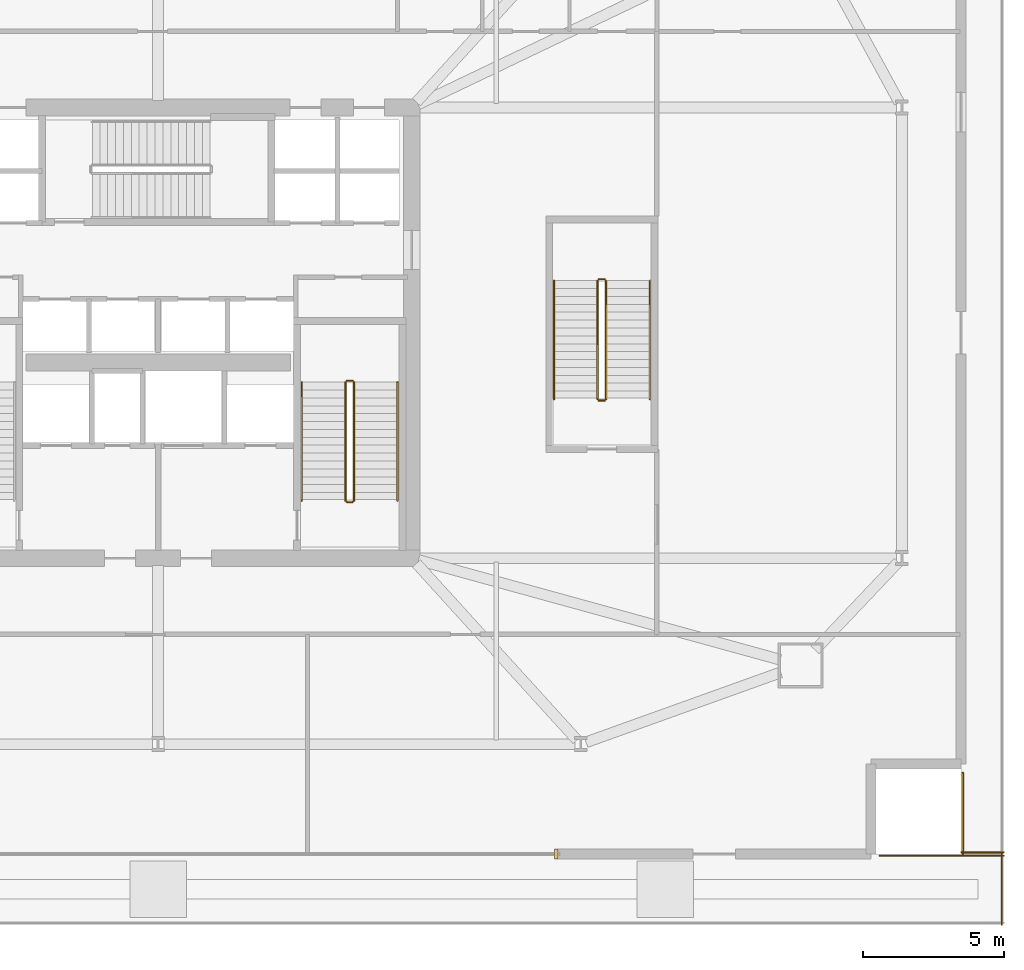
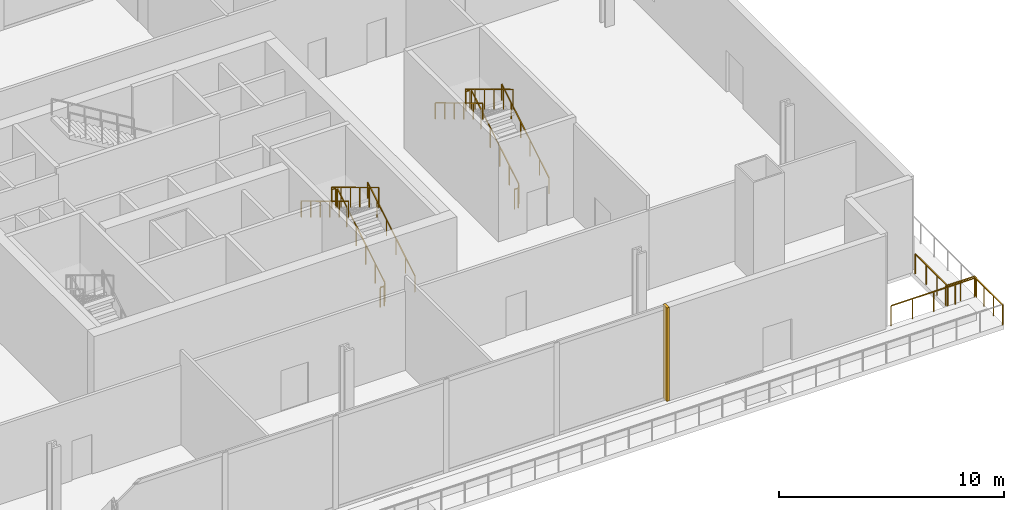
# One storey, part 19 of 20: 16 railings, 1 covering.
"""IFC4 building model written with IfcOpenShell, lengths in metres."""

from ifc_helpers import new_model, si_unit, direction, frame, origin, origin_2d, place, context, subcontext, project, spatial, rectangle, extrude, source, transform, mapped, material, layer, layer_set, type_object, element, save


model = new_model("IFC4")

# Units and contexts
model_context = context("Model", 3, precision=1e-05, world=origin(), true_north=direction((0.0, 1.0)))
body_context = subcontext(model_context, "Body", "Model", "MODEL_VIEW")
ifc_project = project(units=[si_unit("LENGTHUNIT", "METRE"), si_unit("AREAUNIT", "SQUARE_METRE"), si_unit("VOLUMEUNIT", "CUBIC_METRE"), si_unit("PLANEANGLEUNIT", "RADIAN"), si_unit("MASSUNIT", "GRAM", prefix="KILO")], contexts=[model_context])

# Site, building, storey
site_placement = place(None, origin())
site = spatial("IfcSite", under=ifc_project, at=site_placement, CompositionType="ELEMENT")
building_placement = place(site_placement, origin())
building = spatial("IfcBuilding", under=site, at=building_placement, Name="Haldenkirk Collegiate Tower", CompositionType="ELEMENT")
storey_placement = place(building_placement, frame((0.0, 0.0, 11.39990234375)))
storey = spatial("IfcBuildingStorey", under=building, at=storey_placement, Name="L02", CompositionType="ELEMENT", Elevation=11.39990234375)

# Railings
ifc_material_1 = material(Name="Painted architectural tubular steel", Category="steel")
railing_type_1 = type_object("IfcRailingType", Name="RLG-STAIR-GUARD-1100", PredefinedType="BALUSTRADE", material=ifc_material_1)
railing_1_placement = place(storey_placement, frame((42.949951171875, 20.050048828125, 0.1689453125)))
element("IfcRailing", 1, at=railing_1_placement, inside=storey, type_object=railing_type_1, Name="L02 ST-2 stair guard 1", PredefinedType="BALUSTRADE", context=body_context, shape_type="SweptSolid", body=[
    extrude(rectangle(XDim=0.048095703125, YDim=0.048095703125, at=origin_2d()), frame((0.0, 0.0, 1.076171875), z_axis=(0.0, 0.856476492594, 0.516186030065), x_axis=(-1.0, 0.0, 0.0)), (0.0, 0.0, 1.0), 4.90380859375),
    extrude(rectangle(XDim=0.0419921875, YDim=0.0419921875, at=origin_2d()), origin(), (0.0, 0.0, 1.0), 1.052001953125),
    extrude(rectangle(XDim=0.0419921875, YDim=0.0419921875, at=origin_2d()), frame((0.0, 0.840087890625, 0.50634765625)), (0.0, 0.0, 1.0), 1.052001953125),
    extrude(rectangle(XDim=0.0419921875, YDim=0.0419921875, at=origin_2d()), frame((0.0, 1.679931640625, 1.012451171875)), (0.0, 0.0, 1.0), 1.052001953125),
    extrude(rectangle(XDim=0.0419921875, YDim=0.0419921875, at=origin_2d()), frame((0.0, 2.52001953125, 1.518798828125)), (0.0, 0.0, 1.0), 1.052001953125),
    extrude(rectangle(XDim=0.0419921875, YDim=0.0419921875, at=origin_2d()), frame((0.0, 3.35986328125, 2.02490234375)), (0.0, 0.0, 1.0), 1.052001953125),
    extrude(rectangle(XDim=0.0419921875, YDim=0.0419921875, at=origin_2d()), frame((0.0, 4.199951171875, 2.53125)), (0.0, 0.0, 1.0), 1.052001953125),
])
railing_2_placement = place(storey_placement, frame((42.89990234375, 24.300048828125, 2.7001953125)))
element("IfcRailing", 2, at=railing_2_placement, inside=storey, type_object=railing_type_1, Name="L02 ST-2 stair guard 2", PredefinedType="BALUSTRADE", context=body_context, shape_type="SweptSolid", body=[
    extrude(rectangle(XDim=0.048095703125, YDim=0.048095703125, at=origin_2d()), frame((0.0, 0.0, 1.076171875), z_axis=(-1.0, 0.0, 0.0), x_axis=(0.0, -1.0, 0.0)), (0.0, 0.0, 1.0), 0.199951171875),
    extrude(rectangle(XDim=0.0419921875, YDim=0.0419921875, at=origin_2d()), origin(), (0.0, 0.0, 1.0), 1.052001953125),
    extrude(rectangle(XDim=0.0419921875, YDim=0.0419921875, at=origin_2d()), frame((-0.199951171875, 0.0, 0.0)), (0.0, 0.0, 1.0), 1.052001953125),
])
railing_3_placement = place(storey_placement, frame((42.64990234375, 24.25, 2.868896484375)))
element("IfcRailing", 3, at=railing_3_placement, inside=storey, type_object=railing_type_1, Name="L02 ST-2 stair guard 3", PredefinedType="BALUSTRADE", context=body_context, shape_type="SweptSolid", body=[
    extrude(rectangle(XDim=0.048095703125, YDim=0.048095703125, at=origin_2d()), frame((0.0, 0.0, 1.076171875), z_axis=(0.0, -0.856476492594, 0.516186030065), x_axis=(1.0, 0.0, 0.0)), (0.0, 0.0, 1.0), 4.90380859375),
    extrude(rectangle(XDim=0.0419921875, YDim=0.0419921875, at=origin_2d()), origin(), (0.0, 0.0, 1.0), 1.052001953125),
    extrude(rectangle(XDim=0.0419921875, YDim=0.0419921875, at=origin_2d()), frame((0.0, -0.840087890625, 0.50634765625)), (0.0, 0.0, 1.0), 1.052001953125),
    extrude(rectangle(XDim=0.0419921875, YDim=0.0419921875, at=origin_2d()), frame((0.0, -1.679931640625, 1.012451171875)), (0.0, 0.0, 1.0), 1.052001953125),
    extrude(rectangle(XDim=0.0419921875, YDim=0.0419921875, at=origin_2d()), frame((0.0, -2.52001953125, 1.518798828125)), (0.0, 0.0, 1.0), 1.052001953125),
    extrude(rectangle(XDim=0.0419921875, YDim=0.0419921875, at=origin_2d()), frame((0.0, -3.35986328125, 2.02490234375)), (0.0, 0.0, 1.0), 1.052001953125),
    extrude(rectangle(XDim=0.0419921875, YDim=0.0419921875, at=origin_2d()), frame((0.0, -4.199951171875, 2.53125)), (0.0, 0.0, 1.0), 1.052001953125),
])
railing_4_placement = place(storey_placement, frame((42.89990234375, 20.0, 0.0)))
element("IfcRailing", 4, at=railing_4_placement, inside=storey, type_object=railing_type_1, Name="L02 ST-2 stair guard 4", PredefinedType="BALUSTRADE", context=body_context, shape_type="SweptSolid", body=[
    extrude(rectangle(XDim=0.048095703125, YDim=0.048095703125, at=origin_2d()), frame((0.0, 0.0, 1.076171875), z_axis=(-1.0, 0.0, 0.0), x_axis=(0.0, -1.0, 0.0)), (0.0, 0.0, 1.0), 0.199951171875),
    extrude(rectangle(XDim=0.0419921875, YDim=0.0419921875, at=origin_2d()), origin(), (0.0, 0.0, 1.0), 1.052001953125),
    extrude(rectangle(XDim=0.0419921875, YDim=0.0419921875, at=origin_2d()), frame((-0.199951171875, 0.0, 0.0)), (0.0, 0.0, 1.0), 1.052001953125),
])
railing_5_placement = place(storey_placement, frame((51.89990234375, 23.64990234375, 0.1689453125)))
element("IfcRailing", 5, at=railing_5_placement, inside=storey, type_object=railing_type_1, Name="L02 ST-5 stair guard 1", PredefinedType="BALUSTRADE", context=body_context, shape_type="SweptSolid", body=[
    extrude(rectangle(XDim=0.048095703125, YDim=0.048095703125, at=origin_2d()), frame((0.0, 0.0, 1.076171875), z_axis=(0.0, 0.856489757249, 0.516164020179), x_axis=(-1.0, 0.0, 0.0)), (0.0, 0.0, 1.0), 4.904052734375),
    extrude(rectangle(XDim=0.0419921875, YDim=0.0419921875, at=origin_2d()), origin(), (0.0, 0.0, 1.0), 1.052001953125),
    extrude(rectangle(XDim=0.0419921875, YDim=0.0419921875, at=origin_2d()), frame((0.0, 0.840087890625, 0.50634765625)), (0.0, 0.0, 1.0), 1.052001953125),
    extrude(rectangle(XDim=0.0419921875, YDim=0.0419921875, at=origin_2d()), frame((0.0, 1.68017578125, 1.012451171875)), (0.0, 0.0, 1.0), 1.052001953125),
    extrude(rectangle(XDim=0.0419921875, YDim=0.0419921875, at=origin_2d()), frame((0.0, 2.52001953125, 1.518798828125)), (0.0, 0.0, 1.0), 1.052001953125),
    extrude(rectangle(XDim=0.0419921875, YDim=0.0419921875, at=origin_2d()), frame((0.0, 3.360107421875, 2.02490234375)), (0.0, 0.0, 1.0), 1.052001953125),
    extrude(rectangle(XDim=0.0419921875, YDim=0.0419921875, at=origin_2d()), frame((0.0, 4.2001953125, 2.53125)), (0.0, 0.0, 1.0), 1.052001953125),
])
railing_6_placement = place(storey_placement, frame((51.85009765625, 27.89990234375, 2.7001953125)))
element("IfcRailing", 6, at=railing_6_placement, inside=storey, type_object=railing_type_1, Name="L02 ST-5 stair guard 2", PredefinedType="BALUSTRADE", context=body_context, shape_type="SweptSolid", body=[
    extrude(rectangle(XDim=0.048095703125, YDim=0.048095703125, at=origin_2d()), frame((0.0, 0.0, 1.076171875), z_axis=(-1.0, 0.0, 0.0), x_axis=(0.0, -1.0, 0.0)), (0.0, 0.0, 1.0), 0.2001953125),
    extrude(rectangle(XDim=0.0419921875, YDim=0.0419921875, at=origin_2d()), origin(), (0.0, 0.0, 1.0), 1.052001953125),
    extrude(rectangle(XDim=0.0419921875, YDim=0.0419921875, at=origin_2d()), frame((-0.2001953125, 0.0, 0.0)), (0.0, 0.0, 1.0), 1.052001953125),
])
railing_7_placement = place(storey_placement, frame((51.60009765625, 27.85009765625, 2.868896484375)))
element("IfcRailing", 7, at=railing_7_placement, inside=storey, type_object=railing_type_1, Name="L02 ST-5 stair guard 3", PredefinedType="BALUSTRADE", context=body_context, shape_type="SweptSolid", body=[
    extrude(rectangle(XDim=0.048095703125, YDim=0.048095703125, at=origin_2d()), frame((0.0, 0.0, 1.076171875), z_axis=(0.0, -0.856489757249, 0.516164020179), x_axis=(1.0, 0.0, 0.0)), (0.0, 0.0, 1.0), 4.904052734375),
    extrude(rectangle(XDim=0.0419921875, YDim=0.0419921875, at=origin_2d()), origin(), (0.0, 0.0, 1.0), 1.052001953125),
    extrude(rectangle(XDim=0.0419921875, YDim=0.0419921875, at=origin_2d()), frame((0.0, -0.840087890625, 0.50634765625)), (0.0, 0.0, 1.0), 1.052001953125),
    extrude(rectangle(XDim=0.0419921875, YDim=0.0419921875, at=origin_2d()), frame((0.0, -1.68017578125, 1.012451171875)), (0.0, 0.0, 1.0), 1.052001953125),
    extrude(rectangle(XDim=0.0419921875, YDim=0.0419921875, at=origin_2d()), frame((0.0, -2.52001953125, 1.518798828125)), (0.0, 0.0, 1.0), 1.052001953125),
    extrude(rectangle(XDim=0.0419921875, YDim=0.0419921875, at=origin_2d()), frame((0.0, -3.360107421875, 2.02490234375)), (0.0, 0.0, 1.0), 1.052001953125),
    extrude(rectangle(XDim=0.0419921875, YDim=0.0419921875, at=origin_2d()), frame((0.0, -4.2001953125, 2.53125)), (0.0, 0.0, 1.0), 1.052001953125),
])
railing_8_placement = place(storey_placement, frame((51.85009765625, 23.60009765625, 0.0)))
element("IfcRailing", 8, at=railing_8_placement, inside=storey, type_object=railing_type_1, Name="L02 ST-5 stair guard 4", PredefinedType="BALUSTRADE", context=body_context, shape_type="SweptSolid", body=[
    extrude(rectangle(XDim=0.048095703125, YDim=0.048095703125, at=origin_2d()), frame((0.0, 0.0, 1.076171875), z_axis=(-1.0, 0.0, 0.0), x_axis=(0.0, -1.0, 0.0)), (0.0, 0.0, 1.0), 0.2001953125),
    extrude(rectangle(XDim=0.0419921875, YDim=0.0419921875, at=origin_2d()), origin(), (0.0, 0.0, 1.0), 1.052001953125),
    extrude(rectangle(XDim=0.0419921875, YDim=0.0419921875, at=origin_2d()), frame((-0.2001953125, 0.0, 0.0)), (0.0, 0.0, 1.0), 1.052001953125),
])
railing_type_2 = type_object("IfcRailingType", Name="RLG-STAIR-HANDRAIL-900", PredefinedType="HANDRAIL", material=ifc_material_1)
railing_9_placement = place(storey_placement, frame((44.5, 20.050048828125, 0.1689453125)))
element("IfcRailing", 9, at=railing_9_placement, inside=storey, type_object=railing_type_2, Name="L02 ST-2 stair handrail 1", PredefinedType="HANDRAIL", context=body_context, shape_type="SweptSolid", body=[
    extrude(rectangle(XDim=0.048095703125, YDim=0.048095703125, at=origin_2d()), frame((0.0, 0.0, 0.8759765625), z_axis=(0.0, 0.856476492594, 0.516186030065), x_axis=(-1.0, 0.0, 0.0)), (0.0, 0.0, 1.0), 4.90380859375),
    extrude(rectangle(XDim=0.0419921875, YDim=0.0419921875, at=origin_2d()), origin(), (0.0, 0.0, 1.0), 0.851806640625),
    extrude(rectangle(XDim=0.0419921875, YDim=0.0419921875, at=origin_2d()), frame((0.0, 0.840087890625, 0.50634765625)), (0.0, 0.0, 1.0), 0.851806640625),
    extrude(rectangle(XDim=0.0419921875, YDim=0.0419921875, at=origin_2d()), frame((0.0, 1.679931640625, 1.012451171875)), (0.0, 0.0, 1.0), 0.851806640625),
    extrude(rectangle(XDim=0.0419921875, YDim=0.0419921875, at=origin_2d()), frame((0.0, 2.52001953125, 1.518798828125)), (0.0, 0.0, 1.0), 0.851806640625),
    extrude(rectangle(XDim=0.0419921875, YDim=0.0419921875, at=origin_2d()), frame((0.0, 3.35986328125, 2.02490234375)), (0.0, 0.0, 1.0), 0.851806640625),
    extrude(rectangle(XDim=0.0419921875, YDim=0.0419921875, at=origin_2d()), frame((0.0, 4.199951171875, 2.53125)), (0.0, 0.0, 1.0), 0.851806640625),
])
railing_10_placement = place(storey_placement, frame((41.10009765625, 24.25, 2.868896484375)))
element("IfcRailing", 10, at=railing_10_placement, inside=storey, type_object=railing_type_2, Name="L02 ST-2 stair handrail 2", PredefinedType="HANDRAIL", context=body_context, shape_type="SweptSolid", body=[
    extrude(rectangle(XDim=0.048095703125, YDim=0.048095703125, at=origin_2d()), frame((0.0, 0.0, 0.8759765625), z_axis=(0.0, -0.856476492594, 0.516186030065), x_axis=(1.0, 0.0, 0.0)), (0.0, 0.0, 1.0), 4.90380859375),
    extrude(rectangle(XDim=0.0419921875, YDim=0.0419921875, at=origin_2d()), origin(), (0.0, 0.0, 1.0), 0.851806640625),
    extrude(rectangle(XDim=0.0419921875, YDim=0.0419921875, at=origin_2d()), frame((0.0, -0.840087890625, 0.50634765625)), (0.0, 0.0, 1.0), 0.851806640625),
    extrude(rectangle(XDim=0.0419921875, YDim=0.0419921875, at=origin_2d()), frame((0.0, -1.679931640625, 1.012451171875)), (0.0, 0.0, 1.0), 0.851806640625),
    extrude(rectangle(XDim=0.0419921875, YDim=0.0419921875, at=origin_2d()), frame((0.0, -2.52001953125, 1.518798828125)), (0.0, 0.0, 1.0), 0.851806640625),
    extrude(rectangle(XDim=0.0419921875, YDim=0.0419921875, at=origin_2d()), frame((0.0, -3.35986328125, 2.02490234375)), (0.0, 0.0, 1.0), 0.851806640625),
    extrude(rectangle(XDim=0.0419921875, YDim=0.0419921875, at=origin_2d()), frame((0.0, -4.199951171875, 2.53125)), (0.0, 0.0, 1.0), 0.851806640625),
])
railing_11_placement = place(storey_placement, frame((53.449951171875, 23.64990234375, 0.1689453125)))
element("IfcRailing", 11, at=railing_11_placement, inside=storey, type_object=railing_type_2, Name="L02 ST-5 stair handrail 1", PredefinedType="HANDRAIL", context=body_context, shape_type="SweptSolid", body=[
    extrude(rectangle(XDim=0.048095703125, YDim=0.048095703125, at=origin_2d()), frame((0.0, 0.0, 0.8759765625), z_axis=(0.0, 0.856489757249, 0.516164020179), x_axis=(-1.0, 0.0, 0.0)), (0.0, 0.0, 1.0), 4.904052734375),
    extrude(rectangle(XDim=0.0419921875, YDim=0.0419921875, at=origin_2d()), origin(), (0.0, 0.0, 1.0), 0.851806640625),
    extrude(rectangle(XDim=0.0419921875, YDim=0.0419921875, at=origin_2d()), frame((0.0, 0.840087890625, 0.50634765625)), (0.0, 0.0, 1.0), 0.851806640625),
    extrude(rectangle(XDim=0.0419921875, YDim=0.0419921875, at=origin_2d()), frame((0.0, 1.68017578125, 1.012451171875)), (0.0, 0.0, 1.0), 0.851806640625),
    extrude(rectangle(XDim=0.0419921875, YDim=0.0419921875, at=origin_2d()), frame((0.0, 2.52001953125, 1.518798828125)), (0.0, 0.0, 1.0), 0.851806640625),
    extrude(rectangle(XDim=0.0419921875, YDim=0.0419921875, at=origin_2d()), frame((0.0, 3.360107421875, 2.02490234375)), (0.0, 0.0, 1.0), 0.851806640625),
    extrude(rectangle(XDim=0.0419921875, YDim=0.0419921875, at=origin_2d()), frame((0.0, 4.2001953125, 2.53125)), (0.0, 0.0, 1.0), 0.851806640625),
])
railing_12_placement = place(storey_placement, frame((50.050048828125, 27.85009765625, 2.868896484375)))
element("IfcRailing", 12, at=railing_12_placement, inside=storey, type_object=railing_type_2, Name="L02 ST-5 stair handrail 2", PredefinedType="HANDRAIL", context=body_context, shape_type="SweptSolid", body=[
    extrude(rectangle(XDim=0.048095703125, YDim=0.048095703125, at=origin_2d()), frame((0.0, 0.0, 0.8759765625), z_axis=(0.0, -0.856489757249, 0.516164020179), x_axis=(1.0, 0.0, 0.0)), (0.0, 0.0, 1.0), 4.904052734375),
    extrude(rectangle(XDim=0.0419921875, YDim=0.0419921875, at=origin_2d()), origin(), (0.0, 0.0, 1.0), 0.851806640625),
    extrude(rectangle(XDim=0.0419921875, YDim=0.0419921875, at=origin_2d()), frame((0.0, -0.840087890625, 0.50634765625)), (0.0, 0.0, 1.0), 0.851806640625),
    extrude(rectangle(XDim=0.0419921875, YDim=0.0419921875, at=origin_2d()), frame((0.0, -1.68017578125, 1.012451171875)), (0.0, 0.0, 1.0), 0.851806640625),
    extrude(rectangle(XDim=0.0419921875, YDim=0.0419921875, at=origin_2d()), frame((0.0, -2.52001953125, 1.518798828125)), (0.0, 0.0, 1.0), 0.851806640625),
    extrude(rectangle(XDim=0.0419921875, YDim=0.0419921875, at=origin_2d()), frame((0.0, -3.360107421875, 2.02490234375)), (0.0, 0.0, 1.0), 0.851806640625),
    extrude(rectangle(XDim=0.0419921875, YDim=0.0419921875, at=origin_2d()), frame((0.0, -4.2001953125, 2.53125)), (0.0, 0.0, 1.0), 0.851806640625),
])
ifc_material_2 = material(Name="Anodised architectural bronze aluminium", Category="aluminium")
railing_type_3 = type_object("IfcRailingType", Name="RLG-TERR-BALUSTRADE-1100", PredefinedType="BALUSTRADE", material=ifc_material_2)
railing_13_placement = place(storey_placement, frame((65.93994140625, 5.0, 0.0)))
element("IfcRailing", 13, at=railing_13_placement, inside=storey, type_object=railing_type_3, Name="L02 terrace guard balustrade 2-1", PredefinedType="BALUSTRADE", context=body_context, shape_type="SweptSolid", body=[
    extrude(rectangle(XDim=0.048095703125, YDim=0.048095703125, at=origin_2d()), frame((0.0, 0.0, 1.076171875), z_axis=(0.0, 1.0, 0.0), x_axis=(-1.0, 0.0, 0.0)), (0.0, 0.0, 1.0), 2.5),
    extrude(rectangle(XDim=0.0419921875, YDim=0.0419921875, at=origin_2d()), origin(), (0.0, 0.0, 1.0), 1.052001953125),
    extrude(rectangle(XDim=0.0419921875, YDim=0.0419921875, at=origin_2d()), frame((0.0, 0.833251953125, 0.0)), (0.0, 0.0, 1.0), 1.052001953125),
    extrude(rectangle(XDim=0.0419921875, YDim=0.0419921875, at=origin_2d()), frame((0.0, 1.666748046875, 0.0)), (0.0, 0.0, 1.0), 1.052001953125),
    extrude(rectangle(XDim=0.0419921875, YDim=0.0419921875, at=origin_2d()), frame((0.0, 2.5, 0.0)), (0.0, 0.0, 1.0), 1.052001953125),
])
railing_14_placement = place(storey_placement, frame((66.0, 7.43994140625, 0.0)))
element("IfcRailing", 14, at=railing_14_placement, inside=storey, type_object=railing_type_3, Name="L02 terrace guard balustrade 3-1", PredefinedType="BALUSTRADE", context=body_context, shape_type="SweptSolid", body=[
    extrude(rectangle(XDim=0.048095703125, YDim=0.048095703125, at=origin_2d()), frame((0.0, 0.0, 1.076171875), z_axis=(-1.0, 0.0, 0.0), x_axis=(0.0, -1.0, 0.0)), (0.0, 0.0, 1.0), 4.3798828125),
    extrude(rectangle(XDim=0.0419921875, YDim=0.0419921875, at=origin_2d()), origin(), (0.0, 0.0, 1.0), 1.052001953125),
    extrude(rectangle(XDim=0.0419921875, YDim=0.0419921875, at=origin_2d()), frame((-1.094970703125, 0.0, 0.0)), (0.0, 0.0, 1.0), 1.052001953125),
    extrude(rectangle(XDim=0.0419921875, YDim=0.0419921875, at=origin_2d()), frame((-2.18994140625, 0.0, 0.0)), (0.0, 0.0, 1.0), 1.052001953125),
    extrude(rectangle(XDim=0.0419921875, YDim=0.0419921875, at=origin_2d()), frame((-3.284912109375, 0.0, 0.0)), (0.0, 0.0, 1.0), 1.052001953125),
    extrude(rectangle(XDim=0.0419921875, YDim=0.0419921875, at=origin_2d()), frame((-4.3798828125, 0.0, 0.0)), (0.0, 0.0, 1.0), 1.052001953125),
])
railing_15_placement = place(storey_placement, frame((64.5, 7.56005859375, 0.0)))
element("IfcRailing", 15, at=railing_15_placement, inside=storey, type_object=railing_type_3, Name="L02 terrace guard balustrade 1-1", PredefinedType="BALUSTRADE", context=body_context, shape_type="SweptSolid", body=[
    extrude(rectangle(XDim=0.048095703125, YDim=0.048095703125, at=origin_2d()), frame((0.0, 0.0, 1.076171875), z_axis=(1.0, 0.0, 0.0), x_axis=(0.0, 1.0, 0.0)), (0.0, 0.0, 1.0), 1.5),
    extrude(rectangle(XDim=0.0419921875, YDim=0.0419921875, at=origin_2d()), origin(), (0.0, 0.0, 1.0), 1.052001953125),
    extrude(rectangle(XDim=0.0419921875, YDim=0.0419921875, at=origin_2d()), frame((0.75, 0.0, 0.0)), (0.0, 0.0, 1.0), 1.052001953125),
    extrude(rectangle(XDim=0.0419921875, YDim=0.0419921875, at=origin_2d()), frame((1.5, 0.0, 0.0)), (0.0, 0.0, 1.0), 1.052001953125),
])
railing_16_placement = place(storey_placement, frame((64.56005859375, 10.3798828125, 0.0)))
element("IfcRailing", 16, at=railing_16_placement, inside=storey, type_object=railing_type_3, Name="L02 terrace guard balustrade 4-2", PredefinedType="BALUSTRADE", context=body_context, shape_type="SweptSolid", body=[
    extrude(rectangle(XDim=0.048095703125, YDim=0.048095703125, at=origin_2d()), frame((0.0, 0.0, 1.076171875), z_axis=(0.0, -1.0, 0.0), x_axis=(1.0, 0.0, 0.0)), (0.0, 0.0, 1.0), 2.8798828125),
    extrude(rectangle(XDim=0.0419921875, YDim=0.0419921875, at=origin_2d()), origin(), (0.0, 0.0, 1.0), 1.052001953125),
    extrude(rectangle(XDim=0.0419921875, YDim=0.0419921875, at=origin_2d()), frame((0.0, -0.9599609375, 0.0)), (0.0, 0.0, 1.0), 1.052001953125),
    extrude(rectangle(XDim=0.0419921875, YDim=0.0419921875, at=origin_2d()), frame((0.0, -1.919921875, 0.0)), (0.0, 0.0, 1.0), 1.052001953125),
    extrude(rectangle(XDim=0.0419921875, YDim=0.0419921875, at=origin_2d()), frame((0.0, -2.8798828125, 0.0)), (0.0, 0.0, 1.0), 1.052001953125),
])

# Covering
ifc_layer = layer(ifc_material_2, 0.06005859375)
ifc_layer_set = layer_set([ifc_layer], Name="Anodised architectural bronze aluminium")
covering_type = type_object("IfcCoveringType", Name="COV-CLAD-BRONZE-60", PredefinedType="CLADDING", material=ifc_layer_set)
shared_shape = source(origin(), body_context, "Body", "SweptSolid", [
    extrude(rectangle(XDim=0.1201171875, YDim=0.360107421875, at=origin_2d()), origin(), (0.0, 0.0, 1.0), 5.070068359375),
])
covering_placement = place(storey_placement, frame((50.1279296875, 7.5, 0.0), z_axis=(0.0, 0.0, 1.0), x_axis=(-1.0, 0.0, 0.0)))
element("IfcCovering", 17, at=covering_placement, inside=storey, type_object=covering_type, Name="L02 podium curtain-wall bronze jamb closure 1JL", PredefinedType="CLADDING", context=body_context, shape_type="MappedRepresentation", body=[
    mapped(shared_shape, transform((0.0, 0.0, 0.0), x_axis=(1.0, 0.0, 0.0), y_axis=(0.0, 1.0, 0.0), z_axis=(0.0, 0.0, 1.0), scale=1.0)),
])

save(model, "model.ifc")
